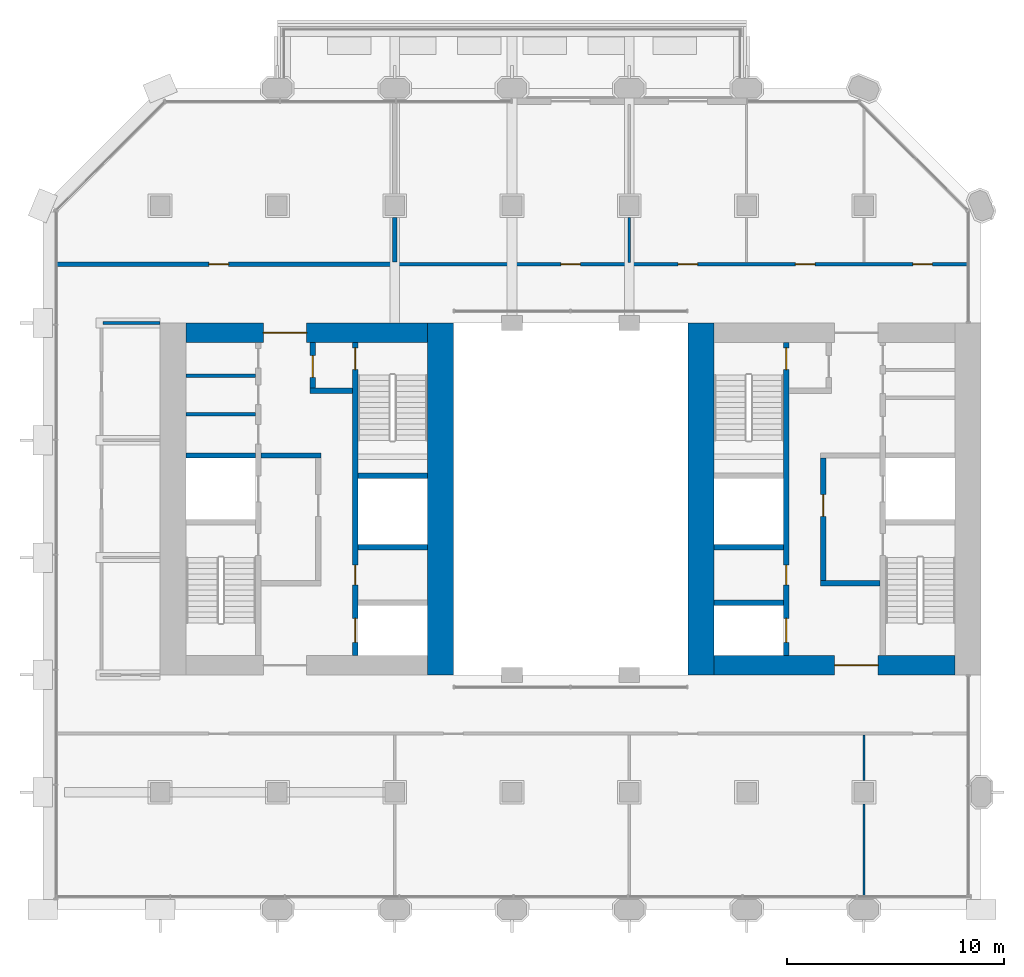
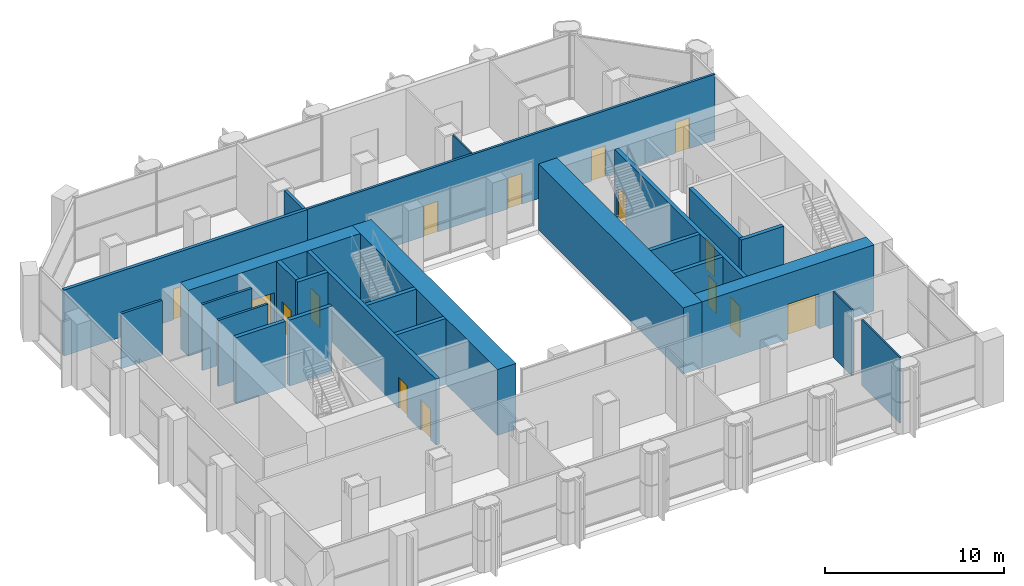
# One storey, part 11 of 15: 25 walls, 15 doors, 15 openings.
"""IFC4 building model written with IfcOpenShell, lengths in metres."""

from ifc_helpers import new_model, si_unit, direction, frame, frame_2d, origin, place, context, subcontext, project, spatial, rectangle, extrude, material, layer, layer_set, type_object, element, fill, save


model = new_model("IFC4")

# Units and contexts
model_context = context("Model", 3, precision=1e-05, world=origin(), true_north=direction((0.0, 1.0)))
body_context = subcontext(model_context, "Body", "Model", "MODEL_VIEW")
ifc_project = project(units=[si_unit("LENGTHUNIT", "METRE"), si_unit("AREAUNIT", "SQUARE_METRE"), si_unit("VOLUMEUNIT", "CUBIC_METRE"), si_unit("PLANEANGLEUNIT", "RADIAN"), si_unit("MASSUNIT", "GRAM", prefix="KILO")], contexts=[model_context])

# Site, building, storey
site_placement = place(None, origin())
site = spatial("IfcSite", under=ifc_project, at=site_placement, CompositionType="ELEMENT")
building_placement = place(site_placement, origin())
building = spatial("IfcBuilding", under=site, at=building_placement, Name="Tabaq Tower and Sports Hall", CompositionType="ELEMENT")
storey_placement = place(building_placement, frame((0.0, 0.0, 138.39990234375)))
storey = spatial("IfcBuildingStorey", under=building, at=storey_placement, Name="L32", CompositionType="ELEMENT", Elevation=138.39990234375)

# Walls
ifc_material_1 = material(Name="Blockwork", Category="masonry")
ifc_layer_1 = layer(ifc_material_1, 0.14990234375)
ifc_layer_set_1 = layer_set([ifc_layer_1], Name="Core room partition 150 Blockwork")
wall_type_1 = type_object("IfcWallType", Name="Core room partition 150 Blockwork", PredefinedType="PARTITIONING", material=ifc_layer_set_1)
for number, where, z_axis, x_axis, name in (
    (1, (6.60009765625, 28.200927734375, 0.0), (0.0, 0.0, 1.0), (1.0, 0.0, 0.0), "Core room partition W L32"),
    (2, (6.60009765625, 29.97705078125, 0.0), (0.0, 0.0, 1.0), (1.0, 0.0, 0.0), "Core room partition W L32"),
):
    element("IfcWall", number, at=place(storey_placement, frame(where, z_axis=z_axis, x_axis=x_axis)), inside=storey, type_object=wall_type_1, Name=name, PredefinedType="PARTITIONING", context=body_context, shape_type="SweptSolid", body=[
        extrude(rectangle(XDim=3.199951171875, YDim=0.14990234375, at=frame_2d((1.60009765625, 0.0))), origin(), (0.0, 0.0, 1.0), 4.5),
    ])
ifc_material_2 = material(Name="Concrete C50/60", Category="concrete")
ifc_layer_2 = layer(ifc_material_2, 1.199951171875)
ifc_layer_set_2 = layer_set([ifc_layer_2], Name="Core wall 1200 Concrete C50/60")
wall_type_2 = type_object("IfcWallType", Name="Core wall 1200 Concrete C50/60", PredefinedType="SOLIDWALL", material=ifc_layer_set_2)
for number, where, z_axis, x_axis, name in (
    (3, (18.300048828125, 32.39990234375, 0.0), (0.0, 0.0, 1.0), (0.0, -1.0, 0.0), "Core wall W L32"),
    (4, (30.300048828125, 16.199951171875, 0.0), (0.0, 0.0, 1.0), (0.0, 1.0, 0.0), "Core wall E L32"),
):
    element("IfcWall", number, at=place(storey_placement, frame(where, z_axis=z_axis, x_axis=x_axis)), inside=storey, type_object=wall_type_2, Name=name, PredefinedType="SOLIDWALL", context=body_context, shape_type="SweptSolid", body=[
        extrude(rectangle(XDim=16.199951171875, YDim=1.199951171875, at=frame_2d((8.10009765625, 0.0))), origin(), (0.0, 0.0, 1.0), 4.5),
    ])

# Wall, opening, door
ifc_material_3 = material(Name="Concrete C50/60", Category="concrete")
ifc_layer_3 = layer(ifc_material_3, 0.89990234375)
ifc_layer_set_3 = layer_set([ifc_layer_3], Name="Core wall 900 Concrete C50/60")
wall_type_3 = type_object("IfcWallType", Name="Core wall 900 Concrete C50/60", PredefinedType="SOLIDWALL", material=ifc_layer_set_3)
wall_1_placement = place(storey_placement, frame((6.60009765625, 31.949951171875, 0.0), z_axis=(0.0, 0.0, 1.0), x_axis=(1.0, 0.0, 0.0)))
wall_1 = element("IfcWall", 5, at=wall_1_placement, inside=storey, type_object=wall_type_3, Name="Core wall W L32", PredefinedType="SOLIDWALL", context=body_context, shape_type="SweptSolid", body=[
    extrude(rectangle(XDim=11.099853515625, YDim=0.89990234375, at=frame_2d((5.5498046875, 0.0))), origin(), (0.0, 0.0, 1.0), 4.5),
])
opening_1_placement = place(wall_1_placement, frame((3.550048828125, 0.0, 0.0)))
opening_1 = element("IfcOpeningElement", 6, at=opening_1_placement, cuts=wall_1, Name="Opening PD-WL32-02", PredefinedType="OPENING", context=body_context, shape_type="SweptSolid", body=[
    extrude(rectangle(XDim=2.0, YDim=2.39990234375, at=frame_2d((1.0, 1.199951171875))), frame((0.0, 0.449951171875, 0.0), z_axis=(0.0, -1.0, 0.0), x_axis=(1.0, 0.0, 0.0)), (0.0, 0.0, 1.0), 0.89990234375),
])
ifc_material_4 = material(Name="Steel fire door", Category="steel")
door_type_1 = type_object("IfcDoorType", Name="Core entrance door 2000", OperationType="DOUBLE_DOOR_SINGLE_SWING", PredefinedType="DOOR", material=ifc_material_4)
door_1_placement = place(opening_1_placement, origin())
door_1 = element("IfcDoor", 7, at=door_1_placement, inside=storey, type_object=door_type_1, Name="Core entrance north W L32", OperationType="DOUBLE_DOOR_SINGLE_SWING", OverallHeight=2.39990234375, OverallWidth=2.0, PredefinedType="DOOR", context=body_context, shape_type="SweptSolid", body=[
    extrude(rectangle(XDim=2.0, YDim=2.39990234375, at=frame_2d((1.0, 1.199951171875))), frame((0.0, 0.02490234375, 0.0), z_axis=(0.0, -1.0, 0.0), x_axis=(1.0, 0.0, 0.0)), (0.0, 0.0, 1.0), 0.050048828125),
])
fill(opening_1, door_1)

wall_2_placement = place(storey_placement, frame((42.0, 16.64990234375, 0.0), z_axis=(0.0, 0.0, 1.0), x_axis=(-1.0, 0.0, 0.0)))
wall_2 = element("IfcWall", 8, at=wall_2_placement, inside=storey, type_object=wall_type_3, Name="Core wall E L32", PredefinedType="SOLIDWALL", context=body_context, shape_type="SweptSolid", body=[
    extrude(rectangle(XDim=11.10009765625, YDim=0.89990234375, at=frame_2d((5.550048828125, 0.0))), origin(), (0.0, 0.0, 1.0), 4.5),
])
opening_2_placement = place(wall_2_placement, frame((3.550048828125, 0.0, 0.0)))
opening_2 = element("IfcOpeningElement", 9, at=opening_2_placement, cuts=wall_2, Name="Opening PD-EL32-01", PredefinedType="OPENING", context=body_context, shape_type="SweptSolid", body=[
    extrude(rectangle(XDim=2.0, YDim=2.39990234375, at=frame_2d((1.0, 1.199951171875))), frame((0.0, 0.449951171875, 0.0), z_axis=(0.0, -1.0, 0.0), x_axis=(1.0, 0.0, 0.0)), (0.0, 0.0, 1.0), 0.89990234375),
])
door_2_placement = place(opening_2_placement, origin())
door_2 = element("IfcDoor", 10, at=door_2_placement, inside=storey, type_object=door_type_1, Name="Core entrance south E L32", OperationType="DOUBLE_DOOR_SINGLE_SWING", OverallHeight=2.39990234375, OverallWidth=2.0, PredefinedType="DOOR", context=body_context, shape_type="SweptSolid", body=[
    extrude(rectangle(XDim=2.0, YDim=2.39990234375, at=frame_2d((1.0, 1.199951171875))), frame((0.0, 0.02490234375, 0.0), z_axis=(0.0, -1.0, 0.0), x_axis=(1.0, 0.0, 0.0)), (0.0, 0.0, 1.0), 0.050048828125),
])
fill(opening_2, door_2)

ifc_material_5 = material(Name="Blockwork", Category="masonry")
ifc_layer_4 = layer(ifc_material_5, 0.199951171875)
ifc_layer_set_4 = layer_set([ifc_layer_4], Name="Fire compartment wall 200 Blockwork")
wall_type_4 = type_object("IfcWallType", Name="Fire compartment wall 200 Blockwork", PredefinedType="PARTITIONING", material=ifc_layer_set_4)
wall_3_placement = place(storey_placement, frame((16.300048828125, 35.10009765625, 0.0), z_axis=(0.0, 0.0, 1.0), x_axis=(-1.0, 0.0, 0.0)))
wall_3 = element("IfcWall", 11, at=wall_3_placement, inside=storey, type_object=wall_type_4, Name="Compartment wall L32", PredefinedType="PARTITIONING", context=body_context, shape_type="SweptSolid", body=[
    extrude(rectangle(XDim=15.699951171875, YDim=0.199951171875, at=frame_2d((7.85009765625, 0.0))), origin(), (0.0, 0.0, 1.0), 4.5),
])
opening_3_placement = place(wall_3_placement, frame((7.75, 0.0, 0.0)))
opening_3 = element("IfcOpeningElement", 12, at=opening_3_placement, cuts=wall_3, Name="Opening L32-001", PredefinedType="OPENING", context=body_context, shape_type="SweptSolid", body=[
    extrude(rectangle(XDim=0.89990234375, YDim=2.10009765625, at=frame_2d((0.449951171875, 1.050048828125))), frame((0.0, 0.10009765625, 0.0), z_axis=(0.0, -1.0, 0.0), x_axis=(1.0, 0.0, 0.0)), (0.0, 0.0, 1.0), 0.199951171875),
])
ifc_material_6 = material(Name="Timber leaf in steel frame", Category="steel")
door_type_2 = type_object("IfcDoorType", Name="Internal door 900 right hand", OperationType="SINGLE_SWING_RIGHT", PredefinedType="DOOR", material=ifc_material_6)
door_3_placement = place(opening_3_placement, origin())
door_3 = element("IfcDoor", 13, at=door_3_placement, inside=storey, type_object=door_type_2, Name="Internal door L32-001", OperationType="SINGLE_SWING_RIGHT", OverallHeight=2.10009765625, OverallWidth=0.89990234375, PredefinedType="DOOR", context=body_context, shape_type="SweptSolid", body=[
    extrude(rectangle(XDim=0.89990234375, YDim=2.10009765625, at=frame_2d((0.449951171875, 1.050048828125))), frame((0.0, 0.02490234375, 0.0), z_axis=(0.0, -1.0, 0.0), x_axis=(1.0, 0.0, 0.0)), (0.0, 0.0, 1.0), 0.050048828125),
])
fill(opening_3, door_3)

# Walls
wall_4_placement = place(storey_placement, frame((16.199951171875, 35.199951171875, 0.0), z_axis=(0.0, 0.0, 1.0), x_axis=(0.0, 1.0, 0.0)))
element("IfcWall", 14, at=wall_4_placement, inside=storey, type_object=wall_type_4, Name="Compartment wall L32", PredefinedType="PARTITIONING", context=body_context, shape_type="SweptSolid", body=[
    extrude(rectangle(XDim=2.04931640625, YDim=0.199951171875, at=frame_2d((1.024658203125, 0.0))), origin(), (0.0, 0.0, 1.0), 4.5),
])
ifc_material_7 = material(Name="Gypsum board on steel studs", Category="steel")
ifc_layer_5 = layer(ifc_material_7, 0.10009765625)
ifc_layer_set_5 = layer_set([ifc_layer_5], Name="Partition 100 Gypsum board")
wall_type_5 = type_object("IfcWallType", Name="Partition 100 Gypsum board", PredefinedType="PARTITIONING", material=ifc_layer_set_5)
wall_5_placement = place(storey_placement, frame((27.0, 35.175048828125, 0.0), z_axis=(0.0, 0.0, 1.0), x_axis=(0.0, 1.0, 0.0)))
element("IfcWall", 15, at=wall_5_placement, inside=storey, type_object=wall_type_5, Name="Partition wall L32", PredefinedType="PARTITIONING", context=body_context, shape_type="SweptSolid", body=[
    extrude(rectangle(XDim=2.07421875, YDim=0.10009765625, at=frame_2d((1.037109375, 0.0))), origin(), (0.0, 0.0, 1.0), 4.5),
])
wall_6_placement = place(storey_placement, frame((37.800048828125, 6.0, 0.0), z_axis=(0.0, 0.0, 1.0), x_axis=(0.0, 1.0, 0.0)))
element("IfcWall", 16, at=wall_6_placement, inside=storey, type_object=wall_type_5, Name="Partition wall L32", PredefinedType="PARTITIONING", context=body_context, shape_type="SweptSolid", body=[
    extrude(rectangle(XDim=4.249267578125, YDim=0.10009765625, at=frame_2d((2.12451171875, 0.0))), origin(), (0.0, 0.0, 1.0), 4.5),
])
wall_7_placement = place(storey_placement, frame((37.800048828125, 11.3505859375, 0.0), z_axis=(0.0, 0.0, 1.0), x_axis=(0.0, 1.0, 0.0)))
element("IfcWall", 17, at=wall_7_placement, inside=storey, type_object=wall_type_5, Name="Partition wall L32", PredefinedType="PARTITIONING", context=body_context, shape_type="SweptSolid", body=[
    extrude(rectangle(XDim=2.074462890625, YDim=0.10009765625, at=frame_2d((1.037109375, 0.0))), origin(), (0.0, 0.0, 1.0), 4.5),
])
ifc_material_8 = material(Name="Blockwork", Category="masonry")
ifc_layer_6 = layer(ifc_material_8, 0.14990234375)
ifc_layer_set_6 = layer_set([ifc_layer_6], Name="Separating wall 150 Blockwork")
wall_type_6 = type_object("IfcWallType", Name="Separating wall 150 Blockwork", PredefinedType="PARTITIONING", material=ifc_layer_set_6)
wall_8_placement = place(storey_placement, frame((2.77490234375, 32.39990234375, 0.0), z_axis=(0.0, 0.0, 1.0), x_axis=(1.0, 0.0, 0.0)))
element("IfcWall", 18, at=wall_8_placement, inside=storey, type_object=wall_type_6, Name="Separating wall L32", PredefinedType="PARTITIONING", context=body_context, shape_type="SweptSolid", body=[
    extrude(rectangle(XDim=2.625, YDim=0.14990234375, at=frame_2d((1.3125, 0.0))), origin(), (0.0, 0.0, 1.0), 3.75),
])

# Wall, openings, doors
wall_9_placement = place(storey_placement, frame((42.60009765625, 35.10009765625, 0.0), z_axis=(0.0, 0.0, 1.0), x_axis=(-1.0, 0.0, 0.0)))
wall_9 = element("IfcWall", 19, at=wall_9_placement, inside=storey, type_object=wall_type_6, Name="Separating wall L32", PredefinedType="PARTITIONING", context=body_context, shape_type="SweptSolid", body=[
    extrude(rectangle(XDim=26.300048828125, YDim=0.14990234375, at=frame_2d((13.14990234375, 0.0))), origin(), (0.0, 0.0, 1.0), 4.5),
])
opening_4_placement = place(wall_9_placement, frame((17.85009765625, 0.0, 0.0)))
opening_4 = element("IfcOpeningElement", 20, at=opening_4_placement, cuts=wall_9, Name="Opening L32-002", PredefinedType="OPENING", context=body_context, shape_type="SweptSolid", body=[
    extrude(rectangle(XDim=0.89990234375, YDim=2.10009765625, at=frame_2d((0.449951171875, 1.050048828125))), frame((0.0, 0.074951171875, 0.0), z_axis=(0.0, -1.0, 0.0), x_axis=(1.0, 0.0, 0.0)), (0.0, 0.0, 1.0), 0.14990234375),
])
opening_5_placement = place(wall_9_placement, frame((12.449951171875, 0.0, 0.0)))
opening_5 = element("IfcOpeningElement", 21, at=opening_5_placement, cuts=wall_9, Name="Opening L32-003", PredefinedType="OPENING", context=body_context, shape_type="SweptSolid", body=[
    extrude(rectangle(XDim=0.89990234375, YDim=2.10009765625, at=frame_2d((0.449951171875, 1.050048828125))), frame((0.0, 0.074951171875, 0.0), z_axis=(0.0, -1.0, 0.0), x_axis=(1.0, 0.0, 0.0)), (0.0, 0.0, 1.0), 0.14990234375),
])
opening_6_placement = place(wall_9_placement, frame((7.050048828125, 0.0, 0.0)))
opening_6 = element("IfcOpeningElement", 22, at=opening_6_placement, cuts=wall_9, Name="Opening L32-004", PredefinedType="OPENING", context=body_context, shape_type="SweptSolid", body=[
    extrude(rectangle(XDim=0.89990234375, YDim=2.10009765625, at=frame_2d((0.449951171875, 1.050048828125))), frame((0.0, 0.074951171875, 0.0), z_axis=(0.0, -1.0, 0.0), x_axis=(1.0, 0.0, 0.0)), (0.0, 0.0, 1.0), 0.14990234375),
])
opening_7_placement = place(wall_9_placement, frame((1.64990234375, 0.0, 0.0)))
opening_7 = element("IfcOpeningElement", 23, at=opening_7_placement, cuts=wall_9, Name="Opening L32-005", PredefinedType="OPENING", context=body_context, shape_type="SweptSolid", body=[
    extrude(rectangle(XDim=0.89990234375, YDim=2.10009765625, at=frame_2d((0.449951171875, 1.050048828125))), frame((0.0, 0.074951171875, 0.0), z_axis=(0.0, -1.0, 0.0), x_axis=(1.0, 0.0, 0.0)), (0.0, 0.0, 1.0), 0.14990234375),
])
ifc_material_9 = material(Name="Timber leaf in steel frame", Category="steel")
door_type_3 = type_object("IfcDoorType", Name="Internal door 900 left hand", OperationType="SINGLE_SWING_LEFT", PredefinedType="DOOR", material=ifc_material_9)
door_4_placement = place(opening_6_placement, origin())
door_4 = element("IfcDoor", 24, at=door_4_placement, inside=storey, type_object=door_type_3, Name="Internal door L32-004", OperationType="SINGLE_SWING_LEFT", OverallHeight=2.10009765625, OverallWidth=0.89990234375, PredefinedType="DOOR", context=body_context, shape_type="SweptSolid", body=[
    extrude(rectangle(XDim=0.89990234375, YDim=2.10009765625, at=frame_2d((0.449951171875, 1.050048828125))), frame((0.0, 0.02490234375, 0.0), z_axis=(0.0, -1.0, 0.0), x_axis=(1.0, 0.0, 0.0)), (0.0, 0.0, 1.0), 0.050048828125),
])
fill(opening_6, door_4)
door_5_placement = place(opening_7_placement, origin())
door_5 = element("IfcDoor", 25, at=door_5_placement, inside=storey, type_object=door_type_3, Name="Internal door L32-005", OperationType="SINGLE_SWING_LEFT", OverallHeight=2.10009765625, OverallWidth=0.89990234375, PredefinedType="DOOR", context=body_context, shape_type="SweptSolid", body=[
    extrude(rectangle(XDim=0.89990234375, YDim=2.10009765625, at=frame_2d((0.449951171875, 1.050048828125))), frame((0.0, 0.02490234375, 0.0), z_axis=(0.0, -1.0, 0.0), x_axis=(1.0, 0.0, 0.0)), (0.0, 0.0, 1.0), 0.050048828125),
])
fill(opening_7, door_5)
door_6_placement = place(opening_4_placement, origin())
door_6 = element("IfcDoor", 26, at=door_6_placement, inside=storey, type_object=door_type_2, Name="Internal door L32-002", OperationType="SINGLE_SWING_RIGHT", OverallHeight=2.10009765625, OverallWidth=0.89990234375, PredefinedType="DOOR", context=body_context, shape_type="SweptSolid", body=[
    extrude(rectangle(XDim=0.89990234375, YDim=2.10009765625, at=frame_2d((0.449951171875, 1.050048828125))), frame((0.0, 0.02490234375, 0.0), z_axis=(0.0, -1.0, 0.0), x_axis=(1.0, 0.0, 0.0)), (0.0, 0.0, 1.0), 0.050048828125),
])
fill(opening_4, door_6)
door_7_placement = place(opening_5_placement, origin())
door_7 = element("IfcDoor", 27, at=door_7_placement, inside=storey, type_object=door_type_2, Name="Internal door L32-003", OperationType="SINGLE_SWING_RIGHT", OverallHeight=2.10009765625, OverallWidth=0.89990234375, PredefinedType="DOOR", context=body_context, shape_type="SweptSolid", body=[
    extrude(rectangle(XDim=0.89990234375, YDim=2.10009765625, at=frame_2d((0.449951171875, 1.050048828125))), frame((0.0, 0.02490234375, 0.0), z_axis=(0.0, -1.0, 0.0), x_axis=(1.0, 0.0, 0.0)), (0.0, 0.0, 1.0), 0.050048828125),
])
fill(opening_5, door_7)

ifc_material_10 = material(Name="Concrete C40/50", Category="concrete")
ifc_layer_7 = layer(ifc_material_10, 0.25)
ifc_layer_set_7 = layer_set([ifc_layer_7], Name="Shaft and stair wall 250 Concrete C40/50")
wall_type_7 = type_object("IfcWallType", Name="Shaft and stair wall 250 Concrete C40/50", PredefinedType="SOLIDWALL", material=ifc_layer_set_7)
wall_10_placement = place(storey_placement, frame((14.375, 17.10009765625, 0.0), z_axis=(0.0, 0.0, 1.0), x_axis=(0.0, 1.0, 0.0)))
wall_10 = element("IfcWall", 28, at=wall_10_placement, inside=storey, type_object=wall_type_7, Name="Shaft wall W L32", PredefinedType="SOLIDWALL", context=body_context, shape_type="SweptSolid", body=[
    extrude(rectangle(XDim=14.39990234375, YDim=0.25, at=frame_2d((7.199951171875, 0.0))), origin(), (0.0, 0.0, 1.0), 4.5),
])
opening_8_placement = place(wall_10_placement, frame((13.14990234375, 0.0, 0.0)))
opening_8 = element("IfcOpeningElement", 29, at=opening_8_placement, cuts=wall_10, Name="Opening SD-WL32-05", PredefinedType="OPENING", context=body_context, shape_type="SweptSolid", body=[
    extrude(rectangle(XDim=1.0, YDim=2.10009765625, at=frame_2d((0.5, 1.050048828125))), frame((0.0, 0.125, 0.0), z_axis=(0.0, -1.0, 0.0), x_axis=(1.0, 0.0, 0.0)), (0.0, 0.0, 1.0), 0.25),
])
opening_9_placement = place(wall_10_placement, frame((0.60009765625, 0.0, 0.0)))
opening_9 = element("IfcOpeningElement", 30, at=opening_9_placement, cuts=wall_10, Name="Opening LD-MR1-L32", PredefinedType="OPENING", context=body_context, shape_type="SweptSolid", body=[
    extrude(rectangle(XDim=1.10009765625, YDim=2.10009765625, at=frame_2d((0.550048828125, 1.050048828125))), frame((0.0, 0.125, 0.0), z_axis=(0.0, -1.0, 0.0), x_axis=(1.0, 0.0, 0.0)), (0.0, 0.0, 1.0), 0.25),
])
opening_10_placement = place(wall_10_placement, frame((3.25, 0.0, 0.0)))
opening_10 = element("IfcOpeningElement", 31, at=opening_10_placement, cuts=wall_10, Name="Opening RD-WL32-12", PredefinedType="OPENING", context=body_context, shape_type="SweptSolid", body=[
    extrude(rectangle(XDim=0.89990234375, YDim=2.10009765625, at=frame_2d((0.449951171875, 1.050048828125))), frame((0.0, 0.125, 0.0), z_axis=(0.0, -1.0, 0.0), x_axis=(1.0, 0.0, 0.0)), (0.0, 0.0, 1.0), 0.25),
])
ifc_material_11 = material(Name="Steel fire door", Category="steel")
door_type_4 = type_object("IfcDoorType", Name="Core room door 900", OperationType="SINGLE_SWING_LEFT", PredefinedType="DOOR", material=ifc_material_11)
door_8_placement = place(opening_10_placement, origin())
door_8 = element("IfcDoor", 32, at=door_8_placement, inside=storey, type_object=door_type_4, Name="Door Cleaner's Store W L32", OperationType="SINGLE_SWING_LEFT", OverallHeight=2.10009765625, OverallWidth=0.89990234375, PredefinedType="DOOR", context=body_context, shape_type="SweptSolid", body=[
    extrude(rectangle(XDim=0.89990234375, YDim=2.10009765625, at=frame_2d((0.449951171875, 1.050048828125))), frame((0.0, 0.02490234375, 0.0), z_axis=(0.0, -1.0, 0.0), x_axis=(1.0, 0.0, 0.0)), (0.0, 0.0, 1.0), 0.050048828125),
])
fill(opening_10, door_8)
ifc_material_12 = material(Name="Stainless steel", Category="steel")
door_type_5 = type_object("IfcDoorType", Name="Lift landing door 1100", OperationType="DOUBLE_DOOR_SLIDING", PredefinedType="DOOR", material=ifc_material_12)
door_9_placement = place(opening_9_placement, origin())
door_9 = element("IfcDoor", 33, at=door_9_placement, inside=storey, type_object=door_type_5, Name="Lift landing door MR1 W L32", OperationType="DOUBLE_DOOR_SLIDING", OverallHeight=2.10009765625, OverallWidth=1.10009765625, PredefinedType="DOOR", context=body_context, shape_type="SweptSolid", body=[
    extrude(rectangle(XDim=1.10009765625, YDim=2.10009765625, at=frame_2d((0.550048828125, 1.050048828125))), frame((0.0, 0.02490234375, 0.0), z_axis=(0.0, -1.0, 0.0), x_axis=(1.0, 0.0, 0.0)), (0.0, 0.0, 1.0), 0.050048828125),
])
fill(opening_9, door_9)
ifc_material_13 = material(Name="Steel fire door", Category="steel")
door_type_6 = type_object("IfcDoorType", Name="Stair door 1000", OperationType="SINGLE_SWING_LEFT", PredefinedType="DOOR", material=ifc_material_13)
door_10_placement = place(opening_8_placement, origin())
door_10 = element("IfcDoor", 34, at=door_10_placement, inside=storey, type_object=door_type_6, Name="Stair door ST2 W L32", OperationType="SINGLE_SWING_LEFT", OverallHeight=2.10009765625, OverallWidth=1.0, PredefinedType="DOOR", context=body_context, shape_type="SweptSolid", body=[
    extrude(rectangle(XDim=1.0, YDim=2.10009765625, at=frame_2d((0.5, 1.050048828125))), frame((0.0, 0.02490234375, 0.0), z_axis=(0.0, -1.0, 0.0), x_axis=(1.0, 0.0, 0.0)), (0.0, 0.0, 1.0), 0.050048828125),
])
fill(opening_8, door_10)

# Walls
for number, where, z_axis, x_axis, name in (
    (35, (14.5, 25.375, 0.0), (0.0, 0.0, 1.0), (1.0, 0.0, 0.0), "Stair enclosure wall W L32"),
    (36, (14.5, 22.074951171875, 0.0), (0.0, 0.0, 1.0), (1.0, 0.0, 0.0), "Shaft wall W L32"),
    (37, (6.60009765625, 26.300048828125, 0.0), (0.0, 0.0, 1.0), (1.0, 0.0, 0.0), "Shaft wall W L32"),
):
    element("IfcWall", number, at=place(storey_placement, frame(where, z_axis=z_axis, x_axis=x_axis)), inside=storey, type_object=wall_type_7, Name=name, PredefinedType="SOLIDWALL", context=body_context, shape_type="SweptSolid", body=[
        extrude(rectangle(XDim=3.199951171875, YDim=0.25, at=frame_2d((1.60009765625, 0.0))), origin(), (0.0, 0.0, 1.0), 4.5),
    ])
wall_11_placement = place(storey_placement, frame((10.050048828125, 26.300048828125, 0.0), z_axis=(0.0, 0.0, 1.0), x_axis=(1.0, 0.0, 0.0)))
element("IfcWall", 38, at=wall_11_placement, inside=storey, type_object=wall_type_7, Name="Fire-fighting lobby wall W L32", PredefinedType="SOLIDWALL", context=body_context, shape_type="SweptSolid", body=[
    extrude(rectangle(XDim=2.75, YDim=0.25, at=frame_2d((1.375, 0.0))), origin(), (0.0, 0.0, 1.0), 4.5),
])

# Wall, opening, door
wall_12_placement = place(storey_placement, frame((12.425048828125, 29.39990234375, 0.0), z_axis=(0.0, 0.0, 1.0), x_axis=(0.0, 1.0, 0.0)))
wall_12 = element("IfcWall", 39, at=wall_12_placement, inside=storey, type_object=wall_type_7, Name="Fire-fighting lobby wall W L32", PredefinedType="SOLIDWALL", context=body_context, shape_type="SweptSolid", body=[
    extrude(rectangle(XDim=2.10009765625, YDim=0.25, at=frame_2d((1.050048828125, 0.0))), origin(), (0.0, 0.0, 1.0), 4.5),
])
opening_11_placement = place(wall_12_placement, frame((0.5, 0.0, 0.0)))
opening_11 = element("IfcOpeningElement", 40, at=opening_11_placement, cuts=wall_12, Name="Opening FD-WL32-06", PredefinedType="OPENING", context=body_context, shape_type="SweptSolid", body=[
    extrude(rectangle(XDim=1.0, YDim=2.10009765625, at=frame_2d((0.5, 1.050048828125))), frame((0.0, 0.125, 0.0), z_axis=(0.0, -1.0, 0.0), x_axis=(1.0, 0.0, 0.0)), (0.0, 0.0, 1.0), 0.25),
])
ifc_material_14 = material(Name="Steel fire door", Category="steel")
door_type_7 = type_object("IfcDoorType", Name="Fire-fighting lobby door 1000", OperationType="SINGLE_SWING_LEFT", PredefinedType="DOOR", material=ifc_material_14)
door_11_placement = place(opening_11_placement, origin())
door_11 = element("IfcDoor", 41, at=door_11_placement, inside=storey, type_object=door_type_7, Name="Stair lobby door W L32", OperationType="SINGLE_SWING_LEFT", OverallHeight=2.10009765625, OverallWidth=1.0, PredefinedType="DOOR", context=body_context, shape_type="SweptSolid", body=[
    extrude(rectangle(XDim=1.0, YDim=2.10009765625, at=frame_2d((0.5, 1.050048828125))), frame((0.0, 0.02490234375, 0.0), z_axis=(0.0, -1.0, 0.0), x_axis=(1.0, 0.0, 0.0)), (0.0, 0.0, 1.0), 0.050048828125),
])
fill(opening_11, door_11)

# Wall
wall_13_placement = place(storey_placement, frame((12.300048828125, 29.27490234375, 0.0), z_axis=(0.0, 0.0, 1.0), x_axis=(1.0, 0.0, 0.0)))
element("IfcWall", 42, at=wall_13_placement, inside=storey, type_object=wall_type_7, Name="Fire-fighting lobby wall W L32", PredefinedType="SOLIDWALL", context=body_context, shape_type="SweptSolid", body=[
    extrude(rectangle(XDim=1.949951171875, YDim=0.25, at=frame_2d((0.97509765625, 0.0))), origin(), (0.0, 0.0, 1.0), 4.5),
])

# Wall, openings, doors
wall_14_placement = place(storey_placement, frame((34.22509765625, 17.10009765625, 0.0), z_axis=(0.0, 0.0, 1.0), x_axis=(0.0, 1.0, 0.0)))
wall_14 = element("IfcWall", 43, at=wall_14_placement, inside=storey, type_object=wall_type_7, Name="Shaft wall E L32", PredefinedType="SOLIDWALL", context=body_context, shape_type="SweptSolid", body=[
    extrude(rectangle(XDim=14.39990234375, YDim=0.25, at=frame_2d((7.199951171875, 0.0))), origin(), (0.0, 0.0, 1.0), 4.5),
])
opening_12_placement = place(wall_14_placement, frame((13.14990234375, 0.0, 0.0)))
opening_12 = element("IfcOpeningElement", 44, at=opening_12_placement, cuts=wall_14, Name="Opening SD-EL32-05", PredefinedType="OPENING", context=body_context, shape_type="SweptSolid", body=[
    extrude(rectangle(XDim=1.0, YDim=2.10009765625, at=frame_2d((0.5, 1.050048828125))), frame((0.0, 0.125, 0.0), z_axis=(0.0, -1.0, 0.0), x_axis=(1.0, 0.0, 0.0)), (0.0, 0.0, 1.0), 0.25),
])
opening_13_placement = place(wall_14_placement, frame((0.60009765625, 0.0, 0.0)))
opening_13 = element("IfcOpeningElement", 45, at=opening_13_placement, cuts=wall_14, Name="Opening LD-MR2-L32", PredefinedType="OPENING", context=body_context, shape_type="SweptSolid", body=[
    extrude(rectangle(XDim=1.10009765625, YDim=2.10009765625, at=frame_2d((0.550048828125, 1.050048828125))), frame((0.0, 0.125, 0.0), z_axis=(0.0, -1.0, 0.0), x_axis=(1.0, 0.0, 0.0)), (0.0, 0.0, 1.0), 0.25),
])
opening_14_placement = place(wall_14_placement, frame((3.25, 0.0, 0.0)))
opening_14 = element("IfcOpeningElement", 46, at=opening_14_placement, cuts=wall_14, Name="Opening RD-EL32-12", PredefinedType="OPENING", context=body_context, shape_type="SweptSolid", body=[
    extrude(rectangle(XDim=0.89990234375, YDim=2.10009765625, at=frame_2d((0.449951171875, 1.050048828125))), frame((0.0, 0.125, 0.0), z_axis=(0.0, -1.0, 0.0), x_axis=(1.0, 0.0, 0.0)), (0.0, 0.0, 1.0), 0.25),
])
door_12_placement = place(opening_14_placement, origin())
door_12 = element("IfcDoor", 47, at=door_12_placement, inside=storey, type_object=door_type_4, Name="Door Cleaner's Store E L32", OperationType="SINGLE_SWING_LEFT", OverallHeight=2.10009765625, OverallWidth=0.89990234375, PredefinedType="DOOR", context=body_context, shape_type="SweptSolid", body=[
    extrude(rectangle(XDim=0.89990234375, YDim=2.10009765625, at=frame_2d((0.449951171875, 1.050048828125))), frame((0.0, 0.02490234375, 0.0), z_axis=(0.0, -1.0, 0.0), x_axis=(1.0, 0.0, 0.0)), (0.0, 0.0, 1.0), 0.050048828125),
])
fill(opening_14, door_12)
door_13_placement = place(opening_13_placement, origin())
door_13 = element("IfcDoor", 48, at=door_13_placement, inside=storey, type_object=door_type_5, Name="Lift landing door MR2 E L32", OperationType="DOUBLE_DOOR_SLIDING", OverallHeight=2.10009765625, OverallWidth=1.10009765625, PredefinedType="DOOR", context=body_context, shape_type="SweptSolid", body=[
    extrude(rectangle(XDim=1.10009765625, YDim=2.10009765625, at=frame_2d((0.550048828125, 1.050048828125))), frame((0.0, 0.02490234375, 0.0), z_axis=(0.0, -1.0, 0.0), x_axis=(1.0, 0.0, 0.0)), (0.0, 0.0, 1.0), 0.050048828125),
])
fill(opening_13, door_13)
door_14_placement = place(opening_12_placement, origin())
door_14 = element("IfcDoor", 49, at=door_14_placement, inside=storey, type_object=door_type_6, Name="Stair door ST4 E L32", OperationType="SINGLE_SWING_LEFT", OverallHeight=2.10009765625, OverallWidth=1.0, PredefinedType="DOOR", context=body_context, shape_type="SweptSolid", body=[
    extrude(rectangle(XDim=1.0, YDim=2.10009765625, at=frame_2d((0.5, 1.050048828125))), frame((0.0, 0.02490234375, 0.0), z_axis=(0.0, -1.0, 0.0), x_axis=(1.0, 0.0, 0.0)), (0.0, 0.0, 1.0), 0.050048828125),
])
fill(opening_12, door_14)

# Walls
wall_15_placement = place(storey_placement, frame((30.89990234375, 22.074951171875, 0.0), z_axis=(0.0, 0.0, 1.0), x_axis=(1.0, 0.0, 0.0)))
element("IfcWall", 50, at=wall_15_placement, inside=storey, type_object=wall_type_7, Name="Shaft wall E L32", PredefinedType="SOLIDWALL", context=body_context, shape_type="SweptSolid", body=[
    extrude(rectangle(XDim=3.2001953125, YDim=0.25, at=frame_2d((1.60009765625, 0.0))), origin(), (0.0, 0.0, 1.0), 4.5),
])
wall_16_placement = place(storey_placement, frame((35.800048828125, 20.425048828125, 0.0), z_axis=(0.0, 0.0, 1.0), x_axis=(1.0, 0.0, 0.0)))
element("IfcWall", 51, at=wall_16_placement, inside=storey, type_object=wall_type_7, Name="Fire-fighting lobby wall E L32", PredefinedType="SOLIDWALL", context=body_context, shape_type="SweptSolid", body=[
    extrude(rectangle(XDim=2.75, YDim=0.25, at=frame_2d((1.375, 0.0))), origin(), (0.0, 0.0, 1.0), 4.5),
])

# Wall, opening, door
wall_17_placement = place(storey_placement, frame((35.925048828125, 20.550048828125, 0.0), z_axis=(0.0, 0.0, 1.0), x_axis=(0.0, 1.0, 0.0)))
wall_17 = element("IfcWall", 52, at=wall_17_placement, inside=storey, type_object=wall_type_7, Name="Fire-fighting lobby wall E L32", PredefinedType="SOLIDWALL", context=body_context, shape_type="SweptSolid", body=[
    extrude(rectangle(XDim=5.625, YDim=0.25, at=frame_2d((2.8125, 0.0))), origin(), (0.0, 0.0, 1.0), 4.5),
])
opening_15_placement = place(wall_17_placement, frame((2.949951171875, 0.0, 0.0)))
opening_15 = element("IfcOpeningElement", 53, at=opening_15_placement, cuts=wall_17, Name="Opening FD-EL32-04", PredefinedType="OPENING", context=body_context, shape_type="SweptSolid", body=[
    extrude(rectangle(XDim=1.0, YDim=2.10009765625, at=frame_2d((0.5, 1.050048828125))), frame((0.0, 0.125, 0.0), z_axis=(0.0, -1.0, 0.0), x_axis=(1.0, 0.0, 0.0)), (0.0, 0.0, 1.0), 0.25),
])
door_15_placement = place(opening_15_placement, origin())
door_15 = element("IfcDoor", 54, at=door_15_placement, inside=storey, type_object=door_type_7, Name="Fire-fighting lobby door E L32", OperationType="SINGLE_SWING_LEFT", OverallHeight=2.10009765625, OverallWidth=1.0, PredefinedType="DOOR", context=body_context, shape_type="SweptSolid", body=[
    extrude(rectangle(XDim=1.0, YDim=2.10009765625, at=frame_2d((0.5, 1.050048828125))), frame((0.0, 0.02490234375, 0.0), z_axis=(0.0, -1.0, 0.0), x_axis=(1.0, 0.0, 0.0)), (0.0, 0.0, 1.0), 0.050048828125),
])
fill(opening_15, door_15)

# Wall
wall_18_placement = place(storey_placement, frame((30.89990234375, 19.52490234375, 0.0), z_axis=(0.0, 0.0, 1.0), x_axis=(1.0, 0.0, 0.0)))
element("IfcWall", 55, at=wall_18_placement, inside=storey, type_object=wall_type_7, Name="Shaft wall E L32", PredefinedType="SOLIDWALL", context=body_context, shape_type="SweptSolid", body=[
    extrude(rectangle(XDim=3.2001953125, YDim=0.25, at=frame_2d((1.60009765625, 0.0))), origin(), (0.0, 0.0, 1.0), 4.5),
])

save(model, "model.ifc")
